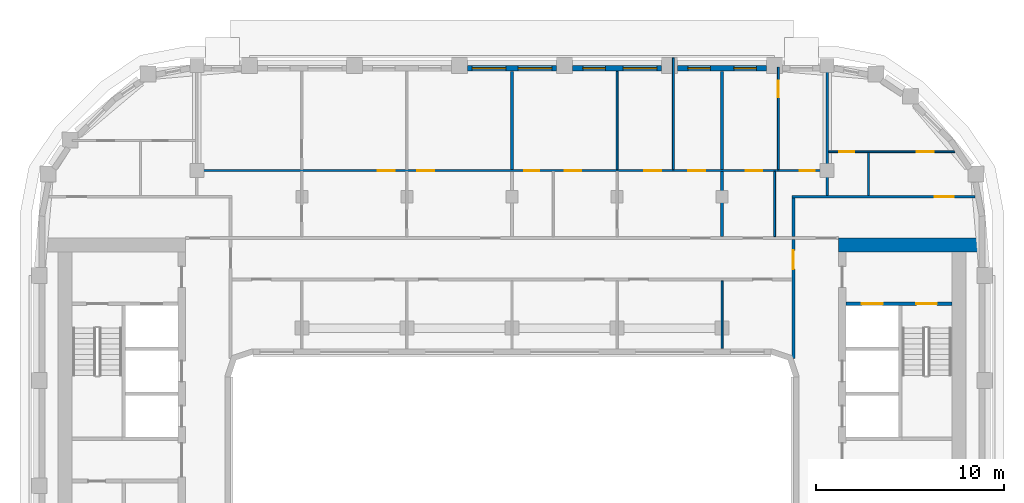
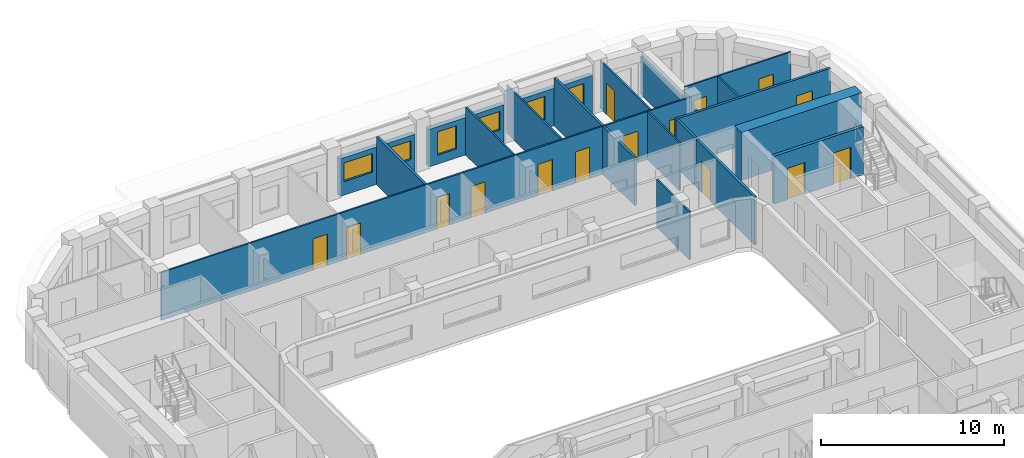
# One storey, part 8 of 21: 20 walls, 15 doors, 6 windows, 21 openings.
"""IFC4 building model written with IfcOpenShell, lengths in metres."""

import ifcopenshell
import ifcopenshell.guid

model = None  # the IFC model being written
_history = None  # IfcOwnerHistory: only IFC2X3 demands one
_inside = {}  # id of a spatial element -> (the spatial element, [elements in it])
_under = {}  # id of a project, library or spatial element -> (it, [spatial elements below it])
_declared = {}  # id of a project -> (the project, [libraries it declares])
_typed = {}  # id of a type object -> (the type object, [elements of that type])
_made_of = {}  # id of a material, layer set ... -> (it, [elements and type objects made of it])


def new_model(schema):
    """Start an empty IFC model of exactly this schema.

    Asked for "IFC4X3", IfcOpenShell would pick the latest addendum, in which some entities
    have other attributes; the version numbers below select the first issue.
    IFC2X3 requires an IfcOwnerHistory on every rooted entity: one is made here for all.
    """
    global model, _history
    if schema == "IFC4X3":
        model = ifcopenshell.file(schema_version=(4, 3, 0, 0))
    else:
        model = ifcopenshell.file(schema=schema)
    _inside.clear()
    _under.clear()
    _declared.clear()
    _typed.clear()
    _made_of.clear()
    _history = None
    if model.schema == "IFC2X3":
        org = make("IfcOrganization", Name="unknown")
        user = make(
            "IfcPersonAndOrganization",
            ThePerson=make("IfcPerson", FamilyName="unknown"),
            TheOrganization=org,
        )
        app = make(
            "IfcApplication",
            ApplicationDeveloper=org,
            Version="unknown",
            ApplicationFullName="unknown",
            ApplicationIdentifier="unknown",
        )
        _history = make(
            "IfcOwnerHistory",
            OwningUser=user,
            OwningApplication=app,
            ChangeAction="ADDED",
            CreationDate=0,
        )
    return model


def make(cls, **values):
    """One entity of the class cls with the attributes given. An attribute that is None is left unset."""
    return model.create_entity(
        cls, **{name: value for name, value in values.items() if value is not None}
    )


def rooted(cls, **values):
    """An entity with a GlobalId (a new one), such as an element, a storey or a relation."""
    return make(cls, GlobalId=ifcopenshell.guid.new(), OwnerHistory=_history, **values)


def si_unit(unit_type, name, prefix=None):
    """IfcSIUnit, for example si_unit("LENGTHUNIT", "METRE", prefix="MILLI")."""
    return make("IfcSIUnit", UnitType=unit_type, Prefix=prefix, Name=name)


def assignment(units):
    """IfcUnitAssignment: the units of a project."""
    return None if units is None else make("IfcUnitAssignment", Units=units)


def point(xyz):
    """IfcCartesianPoint."""
    return None if xyz is None else make("IfcCartesianPoint", Coordinates=xyz)


def direction(xyz):
    """IfcDirection."""
    return None if xyz is None else make("IfcDirection", DirectionRatios=xyz)


def frame(location, z_axis=None, x_axis=None):
    """IfcAxis2Placement3D, a coordinate frame: its origin and axes. An axis left out is left unset."""
    return make(
        "IfcAxis2Placement3D",
        Location=point(location),
        Axis=direction(z_axis),
        RefDirection=direction(x_axis),
    )


def frame_2d(location, x_axis=None):
    """IfcAxis2Placement2D, a coordinate frame in the plane: its origin and x axis."""
    return make(
        "IfcAxis2Placement2D", Location=point(location), RefDirection=direction(x_axis)
    )


def origin():
    """The frame at (0, 0, 0) with its axes left unset."""
    return frame((0.0, 0.0, 0.0))


def place(relative_to, where):
    """IfcLocalPlacement: puts the frame where relative to a parent placement (None: the world)."""
    return make(
        "IfcLocalPlacement", PlacementRelTo=relative_to, RelativePlacement=where
    )


def context(
    kind, dimensions, precision=None, world=None, true_north=None, identifier=None
):
    """IfcGeometricRepresentationContext, for example the 3D "Model" context."""
    return make(
        "IfcGeometricRepresentationContext",
        ContextIdentifier=identifier,
        ContextType=kind,
        CoordinateSpaceDimension=dimensions,
        Precision=precision,
        WorldCoordinateSystem=world,
        TrueNorth=true_north,
    )


def subcontext(parent, identifier, kind, view, scale=None):
    """IfcGeometricRepresentationSubContext, for example "Body" below "Model"."""
    return make(
        "IfcGeometricRepresentationSubContext",
        ContextIdentifier=identifier,
        ContextType=kind,
        ParentContext=parent,
        TargetScale=scale,
        TargetView=view,
    )


def project(units=None, contexts=None):
    """IfcProject with its units and contexts."""
    return rooted(
        "IfcProject",
        Name="project",
        RepresentationContexts=contexts,
        UnitsInContext=assignment(units),
    )


def spatial(cls, under=None, at=None, **own):
    """A site, building, storey or space (cls), placed at a placement, below another one or the project."""
    s = rooted(cls, ObjectPlacement=at, **own)
    if under is not None:
        _under.setdefault(under.id(), (under, []))[1].append(s)
    return s


def profile(cls, at=None, kind="AREA", **sizes):
    """A parametric profile (cls). Its sizes go by their IFC names, for example OverallWidth=200.0."""
    return make(cls, ProfileType=kind, Position=at, **sizes)


def rectangle(**sizes):
    """IfcRectangleProfileDef."""
    return profile("IfcRectangleProfileDef", **sizes)


def extrude(swept, where, along, depth):
    """IfcExtrudedAreaSolid: the profile swept, set in the frame where, extruded along a direction by depth."""
    return make(
        "IfcExtrudedAreaSolid",
        SweptArea=swept,
        Position=where,
        ExtrudedDirection=direction(along),
        Depth=depth,
    )


def shape(context_of_items, identifier, shape_type, items):
    """IfcShapeRepresentation: the items that make up one representation, for example the "Body"."""
    return make(
        "IfcShapeRepresentation",
        ContextOfItems=context_of_items,
        RepresentationIdentifier=identifier,
        RepresentationType=shape_type,
        Items=items,
    )


def material(Name=None, Category=None):
    """IfcMaterial."""
    return make("IfcMaterial", Name=Name, Category=Category)


def layer(
    of_material, thickness, ventilated=None, Name=None, Category=None, Priority=None
):
    """IfcMaterialLayer: one layer of a wall or slab, of a material (None: an air gap)."""
    return make(
        "IfcMaterialLayer",
        Material=of_material,
        LayerThickness=thickness,
        IsVentilated=ventilated,
        Name=Name,
        Category=Category,
        Priority=Priority,
    )


def layer_set(layers, Name=None):
    """IfcMaterialLayerSet."""
    return make("IfcMaterialLayerSet", MaterialLayers=layers, LayerSetName=Name)


def made_of(thing, what):
    """Note that an element or type object is made of a material, layer set ...; save() writes the relation."""
    if what is not None:
        _made_of.setdefault(what.id(), (what, []))[1].append(thing)
    return thing


def type_object(cls, material=None, **own):
    """A type object (cls), such as IfcWallType, which elements share."""
    return made_of(rooted(cls, **own), material)


def element(
    cls,
    number,
    at=None,
    inside=None,
    cuts=None,
    type_object=None,
    material=None,
    context=None,
    identifier="Body",
    shape_type=None,
    held_by="IfcProductDefinitionShape",
    body=None,
    shapes=None,
    **own,
):
    """One element of the class cls, such as IfcWall. Its Tag is "e" and its number.

    at: its placement. inside: the storey or other place that contains it. cuts: it is an
    opening in that element (IfcRelVoidsElement). A single representation is given by context,
    identifier, shape_type and body (its items); several are given by shapes. held_by: the class
    of the entity that holds the representations. save() writes the other relations.
    """
    e = rooted(cls, Tag="e%d" % number, ObjectPlacement=at, **own)
    if body is not None:
        shapes = [shape(context, identifier, shape_type, body)]
    if shapes is not None:
        e.Representation = make(held_by, Representations=shapes)
    if inside is not None:
        _inside.setdefault(inside.id(), (inside, []))[1].append(e)
    if cuts is not None:
        rooted(
            "IfcRelVoidsElement", RelatingBuildingElement=cuts, RelatedOpeningElement=e
        )
    if type_object is not None:
        _typed.setdefault(type_object.id(), (type_object, []))[1].append(e)
    return made_of(e, material)


def fill(opening, filler):
    """IfcRelFillsElement: the door or window that sits in an opening."""
    return rooted(
        "IfcRelFillsElement",
        RelatingOpeningElement=opening,
        RelatedBuildingElement=filler,
    )


def aggregate(whole, parts):
    """IfcRelAggregates: a whole, such as a stair, and the parts it consists of."""
    return rooted("IfcRelAggregates", RelatingObject=whole, RelatedObjects=parts)


def save(model, path):
    """Write the relations noted so far, then the file.

    IfcRelAggregates (storeys below a building ...), IfcRelContainedInSpatialStructure (elements
    in a storey), IfcRelDefinesByType, IfcRelAssociatesMaterial and IfcRelDeclares: one each for
    every whole, place, type object, material and project.
    """
    for whole, parts in _under.values():
        aggregate(whole, parts)
    for where, things in _inside.values():
        rooted(
            "IfcRelContainedInSpatialStructure",
            RelatedElements=things,
            RelatingStructure=where,
        )
    for kind, things in _typed.values():
        rooted("IfcRelDefinesByType", RelatedObjects=things, RelatingType=kind)
    for what, things in _made_of.values():
        rooted("IfcRelAssociatesMaterial", RelatedObjects=things, RelatingMaterial=what)
    for by, libraries in _declared.values():
        rooted("IfcRelDeclares", RelatingContext=by, RelatedDefinitions=libraries)
    model.write(path)


model = new_model("IFC4")

# Units and contexts
model_context = context("Model", 3, precision=1e-05, world=origin(), true_north=direction((0.0, 1.0)))
body_context = subcontext(model_context, "Body", "Model", "MODEL_VIEW")
ifc_project = project(units=[si_unit("LENGTHUNIT", "METRE"), si_unit("AREAUNIT", "SQUARE_METRE"), si_unit("VOLUMEUNIT", "CUBIC_METRE"), si_unit("PLANEANGLEUNIT", "RADIAN"), si_unit("MASSUNIT", "GRAM", prefix="KILO")], contexts=[model_context])

# Site, building, storey
site_placement = place(None, origin())
site = spatial("IfcSite", under=ifc_project, at=site_placement, CompositionType="ELEMENT")
building_placement = place(site_placement, origin())
building = spatial("IfcBuilding", under=site, at=building_placement, Name="Kiln Ring Residences", CompositionType="ELEMENT")
storey_placement = place(building_placement, frame((0.0, 0.0, 220.39990234375)))
storey = spatial("IfcBuildingStorey", under=building, at=storey_placement, Name="L57", CompositionType="ELEMENT", Elevation=220.39990234375)

# Wall, openings, doors
ifc_material_1 = material(Name="Concrete C40/50", Category="concrete")
ifc_layer_1 = layer(ifc_material_1, 0.199951171875)
ifc_layer_set_1 = layer_set([ifc_layer_1], Name="CORE-WALL-RC200")
wall_type_1 = type_object("IfcWallType", Name="CORE-WALL-RC200", PredefinedType="SHEAR", material=ifc_layer_set_1)
wall_1_placement = place(storey_placement, frame((17.800048828125, 9.699951171875, 0.0), z_axis=(0.0, 0.0, 1.0), x_axis=(1.0, 0.0, 0.0)))
wall_1 = element("IfcWall", 1, at=wall_1_placement, inside=storey, type_object=wall_type_1, Name="Core wall east L57 9", PredefinedType="SHEAR", context=body_context, shape_type="SweptSolid", body=[
    extrude(rectangle(XDim=5.64990234375, YDim=0.199951171875, at=frame_2d((2.824951171875, 0.0))), origin(), (0.0, 0.0, 1.0), 3.2001953125),
])
opening_1_placement = place(wall_1_placement, frame((0.85009765625, 0.0, 0.0)))
opening_1 = element("IfcOpeningElement", 2, at=opening_1_placement, cuts=wall_1, Name="Opening L57-CE06", PredefinedType="OPENING", context=body_context, shape_type="SweptSolid", body=[
    extrude(rectangle(XDim=1.10009765625, YDim=2.10009765625, at=frame_2d((0.550048828125, 1.050048828125))), frame((0.0, 0.10986328125, 0.0), z_axis=(0.0, -1.0, 0.0), x_axis=(1.0, 0.0, 0.0)), (0.0, 0.0, 1.0), 0.219970703125),
])
opening_2_placement = place(wall_1_placement, frame((3.75, 0.0, 0.0)))
opening_2 = element("IfcOpeningElement", 3, at=opening_2_placement, cuts=wall_1, Name="Opening L57-CE09", PredefinedType="OPENING", context=body_context, shape_type="SweptSolid", body=[
    extrude(rectangle(XDim=1.10009765625, YDim=2.10009765625, at=frame_2d((0.550048828125, 1.050048828125))), frame((0.0, 0.10986328125, 0.0), z_axis=(0.0, -1.0, 0.0), x_axis=(1.0, 0.0, 0.0)), (0.0, 0.0, 1.0), 0.219970703125),
])
ifc_material_2 = material(Name="Steel door leaf", Category="steel")
door_type_1 = type_object("IfcDoorType", Name="CORE-DOOR-LD", OperationType="DOUBLE_DOOR_SLIDING", PredefinedType="DOOR", material=ifc_material_2)
door_1_placement = place(opening_1_placement, origin())
door_1 = element("IfcDoor", 4, at=door_1_placement, inside=storey, type_object=door_type_1, Name="LD E-FF L57-CE06", OperationType="DOUBLE_DOOR_SLIDING", OverallHeight=2.10009765625, OverallWidth=1.10009765625, PredefinedType="DOOR", context=body_context, shape_type="SweptSolid", body=[
    extrude(rectangle(XDim=1.10009765625, YDim=2.10009765625, at=frame_2d((0.550048828125, 1.050048828125))), frame((0.0, 0.02490234375, 0.0), z_axis=(0.0, -1.0, 0.0), x_axis=(1.0, 0.0, 0.0)), (0.0, 0.0, 1.0), 0.050048828125),
])
fill(opening_1, door_1)
ifc_material_3 = material(Name="Steel door leaf", Category="steel")
door_type_2 = type_object("IfcDoorType", Name="CORE-DOOR-STAIR", OperationType="SINGLE_SWING_LEFT", PredefinedType="DOOR", material=ifc_material_3)
door_2_placement = place(opening_2_placement, origin())
door_2 = element("IfcDoor", 5, at=door_2_placement, inside=storey, type_object=door_type_2, Name="Stair E-STN L57-CE09", OperationType="SINGLE_SWING_RIGHT", OverallHeight=2.10009765625, OverallWidth=1.10009765625, PredefinedType="DOOR", context=body_context, shape_type="SweptSolid", body=[
    extrude(rectangle(XDim=1.10009765625, YDim=2.10009765625, at=frame_2d((0.550048828125, 1.050048828125))), frame((0.0, 0.02490234375, 0.0), z_axis=(0.0, -1.0, 0.0), x_axis=(1.0, 0.0, 0.0)), (0.0, 0.0, 1.0), 0.050048828125),
])
fill(opening_2, door_2)

# Wall
ifc_material_4 = material(Name="Concrete C60/75", Category="concrete")
ifc_layer_2 = layer(ifc_material_4, 0.75)
ifc_layer_set_2 = layer_set([ifc_layer_2], Name="CORE-WALL-RC750")
wall_type_2 = type_object("IfcWallType", Name="CORE-WALL-RC750", PredefinedType="SHEAR", material=ifc_layer_set_2)
wall_2_placement = place(storey_placement, frame((17.39990234375, 12.824951171875, 0.0), z_axis=(0.0, 0.0, 1.0), x_axis=(1.0, 0.0, 0.0)))
element("IfcWall", 6, at=wall_2_placement, inside=storey, type_object=wall_type_2, Name="Core wall east L57 4", PredefinedType="SHEAR", context=body_context, shape_type="SweptSolid", body=[
    extrude(rectangle(XDim=7.60009765625, YDim=0.75, at=frame_2d((3.800048828125, 0.0))), origin(), (0.0, 0.0, 1.0), 3.2001953125),
])

# Wall, openings, windows
ifc_material_5 = material(Name="Brick masonry, dark clay brick", Category="masonry")
ifc_layer_3 = layer(ifc_material_5, 0.300048828125)
ifc_layer_set_3 = layer_set([ifc_layer_3], Name="EW-300 BRICK WALL")
wall_type_3 = type_object("IfcWallType", Name="EW-300 BRICK WALL", PredefinedType="SOLIDWALL", material=ifc_layer_set_3)
wall_3_placement = place(storey_placement, frame((13.574951171875, 22.25, 0.0), z_axis=(0.0, 0.0, 1.0), x_axis=(-1.0, 0.0, 0.0)))
wall_3 = element("IfcWall", 7, at=wall_3_placement, inside=storey, type_object=wall_type_3, Name="Facade wall L57 28", PredefinedType="SOLIDWALL", context=body_context, shape_type="SweptSolid", body=[
    extrude(rectangle(XDim=4.75, YDim=0.300048828125, at=frame_2d((2.375, 0.0))), origin(), (0.0, 0.0, 1.0), 2.5),
])
opening_3_placement = place(wall_3_placement, frame((0.550048828125, 0.0, 0.60009765625)))
opening_3 = element("IfcOpeningElement", 8, at=opening_3_placement, cuts=wall_3, Name="Opening W1", PredefinedType="OPENING", context=body_context, shape_type="SweptSolid", body=[
    extrude(rectangle(XDim=1.199951171875, YDim=1.550048828125, at=frame_2d((0.60009765625, 0.77490234375))), frame((0.0, 0.159912109375, 0.0), z_axis=(0.0, -1.0, 0.0), x_axis=(1.0, 0.0, 0.0)), (0.0, 0.0, 1.0), 0.320068359375),
])
opening_4_placement = place(wall_3_placement, frame((3.0, 0.0, 0.60009765625)))
opening_4 = element("IfcOpeningElement", 9, at=opening_4_placement, cuts=wall_3, Name="Opening W1", PredefinedType="OPENING", context=body_context, shape_type="SweptSolid", body=[
    extrude(rectangle(XDim=1.199951171875, YDim=1.550048828125, at=frame_2d((0.60009765625, 0.77490234375))), frame((0.0, 0.159912109375, 0.0), z_axis=(0.0, -1.0, 0.0), x_axis=(1.0, 0.0, 0.0)), (0.0, 0.0, 1.0), 0.320068359375),
])
ifc_material_6 = material(Name="Aluminium frame with double glazing", Category="aluminium")
window_type_1 = type_object("IfcWindowType", Name="WINDOW 1200 x 1550", PartitioningType="SINGLE_PANEL", PredefinedType="WINDOW", material=ifc_material_6)
window_1_placement = place(opening_3_placement, origin())
window_1 = element("IfcWindow", 10, at=window_1_placement, inside=storey, type_object=window_type_1, Name="Window L57 20", OverallHeight=1.550048828125, OverallWidth=1.199951171875, PartitioningType="SINGLE_PANEL", PredefinedType="WINDOW", context=body_context, shape_type="SweptSolid", body=[
    extrude(rectangle(XDim=1.199951171875, YDim=1.550048828125, at=frame_2d((0.60009765625, 0.77490234375))), frame((0.0, 0.030029296875, 0.0), z_axis=(0.0, -1.0, 0.0), x_axis=(1.0, 0.0, 0.0)), (0.0, 0.0, 1.0), 0.06005859375),
])
fill(opening_3, window_1)
window_2_placement = place(opening_4_placement, origin())
window_2 = element("IfcWindow", 11, at=window_2_placement, inside=storey, type_object=window_type_1, Name="Window L57 21", OverallHeight=1.550048828125, OverallWidth=1.199951171875, PartitioningType="SINGLE_PANEL", PredefinedType="WINDOW", context=body_context, shape_type="SweptSolid", body=[
    extrude(rectangle(XDim=1.199951171875, YDim=1.550048828125, at=frame_2d((0.60009765625, 0.77490234375))), frame((0.0, 0.030029296875, 0.0), z_axis=(0.0, -1.0, 0.0), x_axis=(1.0, 0.0, 0.0)), (0.0, 0.0, 1.0), 0.06005859375),
])
fill(opening_4, window_2)

wall_4_placement = place(storey_placement, frame((7.97509765625, 22.25, 0.0), z_axis=(0.0, 0.0, 1.0), x_axis=(-1.0, 0.0, 0.0)))
wall_4 = element("IfcWall", 12, at=wall_4_placement, inside=storey, type_object=wall_type_3, Name="Facade wall L57 29", PredefinedType="SOLIDWALL", context=body_context, shape_type="SweptSolid", body=[
    extrude(rectangle(XDim=4.75, YDim=0.300048828125, at=frame_2d((2.375, 0.0))), origin(), (0.0, 0.0, 1.0), 2.5),
])
opening_5_placement = place(wall_4_placement, frame((0.25, 0.0, 0.89990234375)))
opening_5 = element("IfcOpeningElement", 13, at=opening_5_placement, cuts=wall_4, Name="Opening W2", PredefinedType="OPENING", context=body_context, shape_type="SweptSolid", body=[
    extrude(rectangle(XDim=1.800048828125, YDim=1.25, at=frame_2d((0.89990234375, 0.625))), frame((0.0, 0.159912109375, 0.0), z_axis=(0.0, -1.0, 0.0), x_axis=(1.0, 0.0, 0.0)), (0.0, 0.0, 1.0), 0.320068359375),
])
opening_6_placement = place(wall_4_placement, frame((3.0, 0.0, 0.60009765625)))
opening_6 = element("IfcOpeningElement", 14, at=opening_6_placement, cuts=wall_4, Name="Opening W1", PredefinedType="OPENING", context=body_context, shape_type="SweptSolid", body=[
    extrude(rectangle(XDim=1.199951171875, YDim=1.550048828125, at=frame_2d((0.60009765625, 0.77490234375))), frame((0.0, 0.159912109375, 0.0), z_axis=(0.0, -1.0, 0.0), x_axis=(1.0, 0.0, 0.0)), (0.0, 0.0, 1.0), 0.320068359375),
])
window_3_placement = place(opening_6_placement, origin())
window_3 = element("IfcWindow", 15, at=window_3_placement, inside=storey, type_object=window_type_1, Name="Window L57 23", OverallHeight=1.550048828125, OverallWidth=1.199951171875, PartitioningType="SINGLE_PANEL", PredefinedType="WINDOW", context=body_context, shape_type="SweptSolid", body=[
    extrude(rectangle(XDim=1.199951171875, YDim=1.550048828125, at=frame_2d((0.60009765625, 0.77490234375))), frame((0.0, 0.030029296875, 0.0), z_axis=(0.0, -1.0, 0.0), x_axis=(1.0, 0.0, 0.0)), (0.0, 0.0, 1.0), 0.06005859375),
])
fill(opening_6, window_3)
ifc_material_7 = material(Name="Aluminium frame with double glazing", Category="aluminium")
window_type_2 = type_object("IfcWindowType", Name="WINDOW 1800 x 1250", PartitioningType="SINGLE_PANEL", PredefinedType="WINDOW", material=ifc_material_7)
window_4_placement = place(opening_5_placement, origin())
window_4 = element("IfcWindow", 16, at=window_4_placement, inside=storey, type_object=window_type_2, Name="Window L57 22", OverallHeight=1.25, OverallWidth=1.800048828125, PartitioningType="SINGLE_PANEL", PredefinedType="WINDOW", context=body_context, shape_type="SweptSolid", body=[
    extrude(rectangle(XDim=1.800048828125, YDim=1.25, at=frame_2d((0.89990234375, 0.625))), frame((0.0, 0.030029296875, 0.0), z_axis=(0.0, -1.0, 0.0), x_axis=(1.0, 0.0, 0.0)), (0.0, 0.0, 1.0), 0.06005859375),
])
fill(opening_5, window_4)

wall_5_placement = place(storey_placement, frame((2.375, 22.25, 0.0), z_axis=(0.0, 0.0, 1.0), x_axis=(-1.0, 0.0, 0.0)))
wall_5 = element("IfcWall", 17, at=wall_5_placement, inside=storey, type_object=wall_type_3, Name="Facade wall L57 30", PredefinedType="SOLIDWALL", context=body_context, shape_type="SweptSolid", body=[
    extrude(rectangle(XDim=4.75, YDim=0.300048828125, at=frame_2d((2.375, 0.0))), origin(), (0.0, 0.0, 1.0), 2.5),
])
opening_7_placement = place(wall_5_placement, frame((0.25, 0.0, 0.89990234375)))
opening_7 = element("IfcOpeningElement", 18, at=opening_7_placement, cuts=wall_5, Name="Opening W2", PredefinedType="OPENING", context=body_context, shape_type="SweptSolid", body=[
    extrude(rectangle(XDim=1.800048828125, YDim=1.25, at=frame_2d((0.89990234375, 0.625))), frame((0.0, 0.159912109375, 0.0), z_axis=(0.0, -1.0, 0.0), x_axis=(1.0, 0.0, 0.0)), (0.0, 0.0, 1.0), 0.320068359375),
])
opening_8_placement = place(wall_5_placement, frame((2.699951171875, 0.0, 0.89990234375)))
opening_8 = element("IfcOpeningElement", 19, at=opening_8_placement, cuts=wall_5, Name="Opening W2", PredefinedType="OPENING", context=body_context, shape_type="SweptSolid", body=[
    extrude(rectangle(XDim=1.800048828125, YDim=1.25, at=frame_2d((0.89990234375, 0.625))), frame((0.0, 0.159912109375, 0.0), z_axis=(0.0, -1.0, 0.0), x_axis=(1.0, 0.0, 0.0)), (0.0, 0.0, 1.0), 0.320068359375),
])
window_5_placement = place(opening_7_placement, origin())
window_5 = element("IfcWindow", 20, at=window_5_placement, inside=storey, type_object=window_type_2, Name="Window L57 24", OverallHeight=1.25, OverallWidth=1.800048828125, PartitioningType="SINGLE_PANEL", PredefinedType="WINDOW", context=body_context, shape_type="SweptSolid", body=[
    extrude(rectangle(XDim=1.800048828125, YDim=1.25, at=frame_2d((0.89990234375, 0.625))), frame((0.0, 0.030029296875, 0.0), z_axis=(0.0, -1.0, 0.0), x_axis=(1.0, 0.0, 0.0)), (0.0, 0.0, 1.0), 0.06005859375),
])
fill(opening_7, window_5)
window_6_placement = place(opening_8_placement, origin())
window_6 = element("IfcWindow", 21, at=window_6_placement, inside=storey, type_object=window_type_2, Name="Window L57 25", OverallHeight=1.25, OverallWidth=1.800048828125, PartitioningType="SINGLE_PANEL", PredefinedType="WINDOW", context=body_context, shape_type="SweptSolid", body=[
    extrude(rectangle(XDim=1.800048828125, YDim=1.25, at=frame_2d((0.89990234375, 0.625))), frame((0.0, 0.030029296875, 0.0), z_axis=(0.0, -1.0, 0.0), x_axis=(1.0, 0.0, 0.0)), (0.0, 0.0, 1.0), 0.06005859375),
])
fill(opening_8, window_6)

# Wall, openings, doors
ifc_material_8 = material(Name="Gypsum board on steel studs", Category="steel")
ifc_layer_4 = layer(ifc_material_8, 0.10009765625)
ifc_layer_set_4 = layer_set([ifc_layer_4], Name="PARTITION-100")
wall_type_4 = type_object("IfcWallType", Name="PARTITION-100", PredefinedType="PARTITIONING", material=ifc_layer_set_4)
wall_6_placement = place(storey_placement, frame((-16.72509765625, 16.800048828125, 0.0), z_axis=(0.0, 0.0, 1.0), x_axis=(1.0, 0.0, 0.0)))
wall_6 = element("IfcWall", 22, at=wall_6_placement, inside=storey, type_object=wall_type_4, Name="Partition 011", PredefinedType="PARTITIONING", context=body_context, shape_type="SweptSolid", body=[
    extrude(rectangle(XDim=33.4501953125, YDim=0.10009765625, at=frame_2d((16.72509765625, 0.0))), origin(), (0.0, 0.0, 1.0), 3.2001953125),
])
opening_9_placement = place(wall_6_placement, frame((11.675048828125, 0.0, 0.0)))
opening_9 = element("IfcOpeningElement", 23, at=opening_9_placement, cuts=wall_6, Name="Opening L57-D018", PredefinedType="OPENING", context=body_context, shape_type="SweptSolid", body=[
    extrude(rectangle(XDim=0.89990234375, YDim=2.10009765625, at=frame_2d((0.449951171875, 1.050048828125))), frame((0.0, 0.06005859375, 0.0), z_axis=(0.0, -1.0, 0.0), x_axis=(1.0, 0.0, 0.0)), (0.0, 0.0, 1.0), 0.1201171875),
])
opening_10_placement = place(wall_6_placement, frame((9.574951171875, 0.0, 0.0)))
opening_10 = element("IfcOpeningElement", 24, at=opening_10_placement, cuts=wall_6, Name="Opening L57-D019", PredefinedType="OPENING", context=body_context, shape_type="SweptSolid", body=[
    extrude(rectangle(XDim=0.89990234375, YDim=2.10009765625, at=frame_2d((0.449951171875, 1.050048828125))), frame((0.0, 0.06005859375, 0.0), z_axis=(0.0, -1.0, 0.0), x_axis=(1.0, 0.0, 0.0)), (0.0, 0.0, 1.0), 0.1201171875),
])
opening_11_placement = place(wall_6_placement, frame((17.375, 0.0, 0.0)))
opening_11 = element("IfcOpeningElement", 25, at=opening_11_placement, cuts=wall_6, Name="Opening L57-D023", PredefinedType="OPENING", context=body_context, shape_type="SweptSolid", body=[
    extrude(rectangle(XDim=0.800048828125, YDim=2.10009765625, at=frame_2d((0.39990234375, 1.050048828125))), frame((0.0, 0.06005859375, 0.0), z_axis=(0.0, -1.0, 0.0), x_axis=(1.0, 0.0, 0.0)), (0.0, 0.0, 1.0), 0.1201171875),
])
opening_12_placement = place(wall_6_placement, frame((19.52490234375, 0.0, 0.0)))
opening_12 = element("IfcOpeningElement", 26, at=opening_12_placement, cuts=wall_6, Name="Opening L57-D024", PredefinedType="OPENING", context=body_context, shape_type="SweptSolid", body=[
    extrude(rectangle(XDim=0.89990234375, YDim=2.10009765625, at=frame_2d((0.449951171875, 1.050048828125))), frame((0.0, 0.06005859375, 0.0), z_axis=(0.0, -1.0, 0.0), x_axis=(1.0, 0.0, 0.0)), (0.0, 0.0, 1.0), 0.1201171875),
])
opening_13_placement = place(wall_6_placement, frame((23.77490234375, 0.0, 0.0)))
opening_13 = element("IfcOpeningElement", 27, at=opening_13_placement, cuts=wall_6, Name="Opening L57-D025", PredefinedType="OPENING", context=body_context, shape_type="SweptSolid", body=[
    extrude(rectangle(XDim=0.89990234375, YDim=2.10009765625, at=frame_2d((0.449951171875, 1.050048828125))), frame((0.0, 0.06005859375, 0.0), z_axis=(0.0, -1.0, 0.0), x_axis=(1.0, 0.0, 0.0)), (0.0, 0.0, 1.0), 0.1201171875),
])
opening_14_placement = place(wall_6_placement, frame((26.125, 0.0, 0.0)))
opening_14 = element("IfcOpeningElement", 28, at=opening_14_placement, cuts=wall_6, Name="Opening L57-D026", PredefinedType="OPENING", context=body_context, shape_type="SweptSolid", body=[
    extrude(rectangle(XDim=0.89990234375, YDim=2.10009765625, at=frame_2d((0.449951171875, 1.050048828125))), frame((0.0, 0.06005859375, 0.0), z_axis=(0.0, -1.0, 0.0), x_axis=(1.0, 0.0, 0.0)), (0.0, 0.0, 1.0), 0.1201171875),
])
opening_15_placement = place(wall_6_placement, frame((32.074951171875, 0.0, 0.0)))
opening_15 = element("IfcOpeningElement", 29, at=opening_15_placement, cuts=wall_6, Name="Opening L57-D028", PredefinedType="OPENING", context=body_context, shape_type="SweptSolid", body=[
    extrude(rectangle(XDim=0.800048828125, YDim=2.10009765625, at=frame_2d((0.39990234375, 1.050048828125))), frame((0.0, 0.06005859375, 0.0), z_axis=(0.0, -1.0, 0.0), x_axis=(1.0, 0.0, 0.0)), (0.0, 0.0, 1.0), 0.1201171875),
])
opening_16_placement = place(wall_6_placement, frame((29.175048828125, 0.0, 0.0)))
opening_16 = element("IfcOpeningElement", 30, at=opening_16_placement, cuts=wall_6, Name="Opening L57-D029", PredefinedType="OPENING", context=body_context, shape_type="SweptSolid", body=[
    extrude(rectangle(XDim=0.89990234375, YDim=2.10009765625, at=frame_2d((0.449951171875, 1.050048828125))), frame((0.0, 0.06005859375, 0.0), z_axis=(0.0, -1.0, 0.0), x_axis=(1.0, 0.0, 0.0)), (0.0, 0.0, 1.0), 0.1201171875),
])
ifc_material_9 = material(Name="Timber door leaf", Category="wood")
door_type_3 = type_object("IfcDoorType", Name="FLAT-DOOR-800-PL", OperationType="SINGLE_SWING_LEFT", PredefinedType="DOOR", material=ifc_material_9)
door_3_placement = place(opening_11_placement, origin())
door_3 = element("IfcDoor", 31, at=door_3_placement, inside=storey, type_object=door_type_3, Name="Door L57-D023", OperationType="SINGLE_SWING_LEFT", OverallHeight=2.10009765625, OverallWidth=0.800048828125, PredefinedType="DOOR", context=body_context, shape_type="SweptSolid", body=[
    extrude(rectangle(XDim=0.800048828125, YDim=2.10009765625, at=frame_2d((0.39990234375, 1.050048828125))), frame((0.0, 0.02490234375, 0.0), z_axis=(0.0, -1.0, 0.0), x_axis=(1.0, 0.0, 0.0)), (0.0, 0.0, 1.0), 0.050048828125),
])
fill(opening_11, door_3)
door_4_placement = place(opening_15_placement, origin())
door_4 = element("IfcDoor", 32, at=door_4_placement, inside=storey, type_object=door_type_3, Name="Door L57-D028", OperationType="SINGLE_SWING_RIGHT", OverallHeight=2.10009765625, OverallWidth=0.800048828125, PredefinedType="DOOR", context=body_context, shape_type="SweptSolid", body=[
    extrude(rectangle(XDim=0.800048828125, YDim=2.10009765625, at=frame_2d((0.39990234375, 1.050048828125))), frame((0.0, 0.02490234375, 0.0), z_axis=(0.0, -1.0, 0.0), x_axis=(1.0, 0.0, 0.0)), (0.0, 0.0, 1.0), 0.050048828125),
])
fill(opening_15, door_4)
ifc_material_10 = material(Name="Timber door leaf", Category="wood")
door_type_4 = type_object("IfcDoorType", Name="FLAT-DOOR-900-PL", OperationType="SINGLE_SWING_LEFT", PredefinedType="DOOR", material=ifc_material_10)
door_5_placement = place(opening_9_placement, origin())
door_5 = element("IfcDoor", 33, at=door_5_placement, inside=storey, type_object=door_type_4, Name="Door L57-D018", OperationType="SINGLE_SWING_RIGHT", OverallHeight=2.10009765625, OverallWidth=0.89990234375, PredefinedType="DOOR", context=body_context, shape_type="SweptSolid", body=[
    extrude(rectangle(XDim=0.89990234375, YDim=2.10009765625, at=frame_2d((0.449951171875, 1.050048828125))), frame((0.0, 0.02490234375, 0.0), z_axis=(0.0, -1.0, 0.0), x_axis=(1.0, 0.0, 0.0)), (0.0, 0.0, 1.0), 0.050048828125),
])
fill(opening_9, door_5)
door_6_placement = place(opening_10_placement, origin())
door_6 = element("IfcDoor", 34, at=door_6_placement, inside=storey, type_object=door_type_4, Name="Door L57-D019", OperationType="SINGLE_SWING_LEFT", OverallHeight=2.10009765625, OverallWidth=0.89990234375, PredefinedType="DOOR", context=body_context, shape_type="SweptSolid", body=[
    extrude(rectangle(XDim=0.89990234375, YDim=2.10009765625, at=frame_2d((0.449951171875, 1.050048828125))), frame((0.0, 0.02490234375, 0.0), z_axis=(0.0, -1.0, 0.0), x_axis=(1.0, 0.0, 0.0)), (0.0, 0.0, 1.0), 0.050048828125),
])
fill(opening_10, door_6)
door_7_placement = place(opening_12_placement, origin())
door_7 = element("IfcDoor", 35, at=door_7_placement, inside=storey, type_object=door_type_4, Name="Door L57-D024", OperationType="SINGLE_SWING_RIGHT", OverallHeight=2.10009765625, OverallWidth=0.89990234375, PredefinedType="DOOR", context=body_context, shape_type="SweptSolid", body=[
    extrude(rectangle(XDim=0.89990234375, YDim=2.10009765625, at=frame_2d((0.449951171875, 1.050048828125))), frame((0.0, 0.02490234375, 0.0), z_axis=(0.0, -1.0, 0.0), x_axis=(1.0, 0.0, 0.0)), (0.0, 0.0, 1.0), 0.050048828125),
])
fill(opening_12, door_7)
door_8_placement = place(opening_13_placement, origin())
door_8 = element("IfcDoor", 36, at=door_8_placement, inside=storey, type_object=door_type_4, Name="Door L57-D025", OperationType="SINGLE_SWING_LEFT", OverallHeight=2.10009765625, OverallWidth=0.89990234375, PredefinedType="DOOR", context=body_context, shape_type="SweptSolid", body=[
    extrude(rectangle(XDim=0.89990234375, YDim=2.10009765625, at=frame_2d((0.449951171875, 1.050048828125))), frame((0.0, 0.02490234375, 0.0), z_axis=(0.0, -1.0, 0.0), x_axis=(1.0, 0.0, 0.0)), (0.0, 0.0, 1.0), 0.050048828125),
])
fill(opening_13, door_8)
door_9_placement = place(opening_14_placement, origin())
door_9 = element("IfcDoor", 37, at=door_9_placement, inside=storey, type_object=door_type_4, Name="Door L57-D026", OperationType="SINGLE_SWING_RIGHT", OverallHeight=2.10009765625, OverallWidth=0.89990234375, PredefinedType="DOOR", context=body_context, shape_type="SweptSolid", body=[
    extrude(rectangle(XDim=0.89990234375, YDim=2.10009765625, at=frame_2d((0.449951171875, 1.050048828125))), frame((0.0, 0.02490234375, 0.0), z_axis=(0.0, -1.0, 0.0), x_axis=(1.0, 0.0, 0.0)), (0.0, 0.0, 1.0), 0.050048828125),
])
fill(opening_14, door_9)
door_10_placement = place(opening_16_placement, origin())
door_10 = element("IfcDoor", 38, at=door_10_placement, inside=storey, type_object=door_type_4, Name="Door L57-D029", OperationType="SINGLE_SWING_LEFT", OverallHeight=2.10009765625, OverallWidth=0.89990234375, PredefinedType="DOOR", context=body_context, shape_type="SweptSolid", body=[
    extrude(rectangle(XDim=0.89990234375, YDim=2.10009765625, at=frame_2d((0.449951171875, 1.050048828125))), frame((0.0, 0.02490234375, 0.0), z_axis=(0.0, -1.0, 0.0), x_axis=(1.0, 0.0, 0.0)), (0.0, 0.0, 1.0), 0.050048828125),
])
fill(opening_16, door_10)

wall_7_placement = place(storey_placement, frame((16.875, 17.800048828125, 0.0), z_axis=(0.0, 0.0, 1.0), x_axis=(1.0, 0.0, 0.0)))
wall_7 = element("IfcWall", 39, at=wall_7_placement, inside=storey, type_object=wall_type_4, Name="Partition 012", PredefinedType="PARTITIONING", context=body_context, shape_type="SweptSolid", body=[
    extrude(rectangle(XDim=6.718994140625, YDim=0.10009765625, at=frame_2d((3.359375, 0.0))), origin(), (0.0, 0.0, 1.0), 3.2001953125),
])
opening_17_placement = place(wall_7_placement, frame((0.574951171875, 0.0, 0.0)))
opening_17 = element("IfcOpeningElement", 40, at=opening_17_placement, cuts=wall_7, Name="Opening L57-D032", PredefinedType="OPENING", context=body_context, shape_type="SweptSolid", body=[
    extrude(rectangle(XDim=0.800048828125, YDim=2.10009765625, at=frame_2d((0.39990234375, 1.050048828125))), frame((0.0, 0.06005859375, 0.0), z_axis=(0.0, -1.0, 0.0), x_axis=(1.0, 0.0, 0.0)), (0.0, 0.0, 1.0), 0.1201171875),
])
opening_18_placement = place(wall_7_placement, frame((4.693115234375, 0.0, 0.0)))
opening_18 = element("IfcOpeningElement", 41, at=opening_18_placement, cuts=wall_7, Name="Opening L57-D033", PredefinedType="OPENING", context=body_context, shape_type="SweptSolid", body=[
    extrude(rectangle(XDim=0.89990234375, YDim=2.10009765625, at=frame_2d((0.449951171875, 1.050048828125))), frame((0.0, 0.06005859375, 0.0), z_axis=(0.0, -1.0, 0.0), x_axis=(1.0, 0.0, 0.0)), (0.0, 0.0, 1.0), 0.1201171875),
])
door_11_placement = place(opening_17_placement, origin())
door_11 = element("IfcDoor", 42, at=door_11_placement, inside=storey, type_object=door_type_3, Name="Door L57-D032", OperationType="SINGLE_SWING_RIGHT", OverallHeight=2.10009765625, OverallWidth=0.800048828125, PredefinedType="DOOR", context=body_context, shape_type="SweptSolid", body=[
    extrude(rectangle(XDim=0.800048828125, YDim=2.10009765625, at=frame_2d((0.39990234375, 1.050048828125))), frame((0.0, 0.02490234375, 0.0), z_axis=(0.0, -1.0, 0.0), x_axis=(1.0, 0.0, 0.0)), (0.0, 0.0, 1.0), 0.050048828125),
])
fill(opening_17, door_11)
door_12_placement = place(opening_18_placement, origin())
door_12 = element("IfcDoor", 43, at=door_12_placement, inside=storey, type_object=door_type_4, Name="Door L57-D033", OperationType="SINGLE_SWING_LEFT", OverallHeight=2.10009765625, OverallWidth=0.89990234375, PredefinedType="DOOR", context=body_context, shape_type="SweptSolid", body=[
    extrude(rectangle(XDim=0.89990234375, YDim=2.10009765625, at=frame_2d((0.449951171875, 1.050048828125))), frame((0.0, 0.02490234375, 0.0), z_axis=(0.0, -1.0, 0.0), x_axis=(1.0, 0.0, 0.0)), (0.0, 0.0, 1.0), 0.050048828125),
])
fill(opening_18, door_12)

# Walls
wall_8_placement = place(storey_placement, frame((5.60009765625, 16.85009765625, 0.0), z_axis=(0.0, 0.0, 1.0), x_axis=(0.0, 1.0, 0.0)))
element("IfcWall", 44, at=wall_8_placement, inside=storey, type_object=wall_type_4, Name="Partition 050", PredefinedType="PARTITIONING", context=body_context, shape_type="SweptSolid", body=[
    extrude(rectangle(XDim=5.22998046875, YDim=0.10009765625, at=frame_2d((2.614990234375, 0.0))), origin(), (0.0, 0.0, 1.0), 3.2001953125),
])
wall_9_placement = place(storey_placement, frame((8.60009765625, 16.85009765625, 0.0), z_axis=(0.0, 0.0, 1.0), x_axis=(0.0, 1.0, 0.0)))
element("IfcWall", 45, at=wall_9_placement, inside=storey, type_object=wall_type_4, Name="Partition 052", PredefinedType="PARTITIONING", context=body_context, shape_type="SweptSolid", body=[
    extrude(rectangle(XDim=5.954833984375, YDim=0.10009765625, at=frame_2d((2.9775390625, 0.0))), origin(), (0.0, 0.0, 1.0), 3.2001953125),
])
wall_10_placement = place(storey_placement, frame((11.199951171875, 7.320068359375, 0.0), z_axis=(0.0, 0.0, 1.0), x_axis=(0.0, 1.0, 0.0)))
element("IfcWall", 46, at=wall_10_placement, inside=storey, type_object=wall_type_4, Name="Partition 054", PredefinedType="PARTITIONING", context=body_context, shape_type="SweptSolid", body=[
    extrude(rectangle(XDim=3.60498046875, YDim=0.10009765625, at=frame_2d((1.802490234375, 0.0))), origin(), (0.0, 0.0, 1.0), 3.2001953125),
])
wall_11_placement = place(storey_placement, frame((14.0, 13.27490234375, 0.0), z_axis=(0.0, 0.0, 1.0), x_axis=(0.0, 1.0, 0.0)))
element("IfcWall", 47, at=wall_11_placement, inside=storey, type_object=wall_type_4, Name="Partition 060", PredefinedType="PARTITIONING", context=body_context, shape_type="SweptSolid", body=[
    extrude(rectangle(XDim=3.47509765625, YDim=0.10009765625, at=frame_2d((1.737548828125, 0.0))), origin(), (0.0, 0.0, 1.0), 3.2001953125),
])

# Wall, opening, door
wall_12_placement = place(storey_placement, frame((14.199951171875, 16.85009765625, 0.0), z_axis=(0.0, 0.0, 1.0), x_axis=(0.0, 1.0, 0.0)))
wall_12 = element("IfcWall", 48, at=wall_12_placement, inside=storey, type_object=wall_type_4, Name="Partition 061", PredefinedType="PARTITIONING", context=body_context, shape_type="SweptSolid", body=[
    extrude(rectangle(XDim=5.4599609375, YDim=0.10009765625, at=frame_2d((2.72998046875, 0.0))), origin(), (0.0, 0.0, 1.0), 3.2001953125),
])
opening_19_placement = place(wall_12_placement, frame((3.85009765625, 0.0, 0.0)))
opening_19 = element("IfcOpeningElement", 49, at=opening_19_placement, cuts=wall_12, Name="Opening L57-D030", PredefinedType="OPENING", context=body_context, shape_type="SweptSolid", body=[
    extrude(rectangle(XDim=0.89990234375, YDim=2.10009765625, at=frame_2d((0.449951171875, 1.050048828125))), frame((0.0, 0.06005859375, 0.0), z_axis=(0.0, -1.0, 0.0), x_axis=(1.0, 0.0, 0.0)), (0.0, 0.0, 1.0), 0.1201171875),
])
door_13_placement = place(opening_19_placement, origin())
door_13 = element("IfcDoor", 50, at=door_13_placement, inside=storey, type_object=door_type_4, Name="Door L57-D030", OperationType="SINGLE_SWING_RIGHT", OverallHeight=2.10009765625, OverallWidth=0.89990234375, PredefinedType="DOOR", context=body_context, shape_type="SweptSolid", body=[
    extrude(rectangle(XDim=0.89990234375, YDim=2.10009765625, at=frame_2d((0.449951171875, 1.050048828125))), frame((0.0, 0.02490234375, 0.0), z_axis=(0.0, -1.0, 0.0), x_axis=(1.0, 0.0, 0.0)), (0.0, 0.0, 1.0), 0.050048828125),
])
fill(opening_19, door_13)

# Wall
wall_13_placement = place(storey_placement, frame((19.0, 15.47509765625, 0.0), z_axis=(0.0, 0.0, 1.0), x_axis=(0.0, 1.0, 0.0)))
element("IfcWall", 51, at=wall_13_placement, inside=storey, type_object=wall_type_4, Name="Partition 069", PredefinedType="PARTITIONING", context=body_context, shape_type="SweptSolid", body=[
    extrude(rectangle(XDim=2.27490234375, YDim=0.10009765625, at=frame_2d((1.137451171875, 0.0))), origin(), (0.0, 0.0, 1.0), 3.2001953125),
])

# Wall, opening, door
ifc_material_11 = material(Name="Brick masonry partition", Category="masonry")
ifc_layer_5 = layer(ifc_material_11, 0.14990234375)
ifc_layer_set_5 = layer_set([ifc_layer_5], Name="PARTITION-150-ei60")
wall_type_5 = type_object("IfcWallType", Name="PARTITION-150-ei60", PredefinedType="PARTITIONING", material=ifc_layer_set_5)
wall_14_placement = place(storey_placement, frame((14.925048828125, 15.39990234375, 0.0), z_axis=(0.0, 0.0, 1.0), x_axis=(1.0, 0.0, 0.0)))
wall_14 = element("IfcWall", 52, at=wall_14_placement, inside=storey, type_object=wall_type_5, Name="Partition 010", PredefinedType="PARTITIONING", context=body_context, shape_type="SweptSolid", body=[
    extrude(rectangle(XDim=9.7587890625, YDim=0.14990234375, at=frame_2d((4.87939453125, 0.0))), origin(), (0.0, 0.0, 1.0), 3.2001953125),
])
opening_20_placement = place(wall_14_placement, frame((7.615966796875, 0.0, 0.0)))
opening_20 = element("IfcOpeningElement", 53, at=opening_20_placement, cuts=wall_14, Name="Opening L57-D031", PredefinedType="OPENING", context=body_context, shape_type="SweptSolid", body=[
    extrude(rectangle(XDim=1.0, YDim=2.10009765625, at=frame_2d((0.5, 1.050048828125))), frame((0.0, 0.0849609375, 0.0), z_axis=(0.0, -1.0, 0.0), x_axis=(1.0, 0.0, 0.0)), (0.0, 0.0, 1.0), 0.169921875),
])
ifc_material_12 = material(Name="Steel faced fire door leaf", Category="steel")
door_type_5 = type_object("IfcDoorType", Name="FLAT-DOOR-1000-FR", OperationType="SINGLE_SWING_LEFT", PredefinedType="DOOR", material=ifc_material_12)
door_14_placement = place(opening_20_placement, origin())
door_14 = element("IfcDoor", 54, at=door_14_placement, inside=storey, type_object=door_type_5, Name="Door L57-D031", OperationType="SINGLE_SWING_LEFT", OverallHeight=2.10009765625, OverallWidth=1.0, PredefinedType="DOOR", context=body_context, shape_type="SweptSolid", body=[
    extrude(rectangle(XDim=1.0, YDim=2.10009765625, at=frame_2d((0.5, 1.050048828125))), frame((0.0, 0.02490234375, 0.0), z_axis=(0.0, -1.0, 0.0), x_axis=(1.0, 0.0, 0.0)), (0.0, 0.0, 1.0), 0.050048828125),
])
fill(opening_20, door_14)

# Walls
wall_15_placement = place(storey_placement, frame((0.0, 16.85009765625, 0.0), z_axis=(0.0, 0.0, 1.0), x_axis=(0.0, 1.0, 0.0)))
element("IfcWall", 55, at=wall_15_placement, inside=storey, type_object=wall_type_5, Name="Partition 042", PredefinedType="PARTITIONING", context=body_context, shape_type="SweptSolid", body=[
    extrude(rectangle(XDim=5.22998046875, YDim=0.14990234375, at=frame_2d((2.614990234375, 0.0))), origin(), (0.0, 0.0, 1.0), 3.2001953125),
])
wall_16_placement = place(storey_placement, frame((11.199951171875, 13.27490234375, 0.0), z_axis=(0.0, 0.0, 1.0), x_axis=(0.0, 1.0, 0.0)))
element("IfcWall", 56, at=wall_16_placement, inside=storey, type_object=wall_type_5, Name="Partition 057", PredefinedType="PARTITIONING", context=body_context, shape_type="SweptSolid", body=[
    extrude(rectangle(XDim=3.47509765625, YDim=0.14990234375, at=frame_2d((1.737548828125, 0.0))), origin(), (0.0, 0.0, 1.0), 3.2001953125),
])
wall_17_placement = place(storey_placement, frame((11.199951171875, 16.85009765625, 0.0), z_axis=(0.0, 0.0, 1.0), x_axis=(0.0, 1.0, 0.0)))
element("IfcWall", 57, at=wall_17_placement, inside=storey, type_object=wall_type_5, Name="Partition 058", PredefinedType="PARTITIONING", context=body_context, shape_type="SweptSolid", body=[
    extrude(rectangle(XDim=5.22998046875, YDim=0.14990234375, at=frame_2d((2.614990234375, 0.0))), origin(), (0.0, 0.0, 1.0), 3.2001953125),
])

# Wall, opening, door
wall_18_placement = place(storey_placement, frame((15.0, 6.768798828125, 0.0), z_axis=(0.0, 0.0, 1.0), x_axis=(0.0, 1.0, 0.0)))
wall_18 = element("IfcWall", 58, at=wall_18_placement, inside=storey, type_object=wall_type_5, Name="Partition 064", PredefinedType="PARTITIONING", context=body_context, shape_type="SweptSolid", body=[
    extrude(rectangle(XDim=6.356201171875, YDim=0.14990234375, at=frame_2d((3.17822265625, 0.0))), origin(), (0.0, 0.0, 1.0), 3.2001953125),
])
opening_21_placement = place(wall_18_placement, frame((4.78125, 0.0, 0.0)))
opening_21 = element("IfcOpeningElement", 59, at=opening_21_placement, cuts=wall_18, Name="Opening L57-D002", PredefinedType="OPENING", context=body_context, shape_type="SweptSolid", body=[
    extrude(rectangle(XDim=1.0, YDim=2.10009765625, at=frame_2d((0.5, 1.050048828125))), frame((0.0, 0.0849609375, 0.0), z_axis=(0.0, -1.0, 0.0), x_axis=(1.0, 0.0, 0.0)), (0.0, 0.0, 1.0), 0.169921875),
])
door_15_placement = place(opening_21_placement, origin())
door_15 = element("IfcDoor", 60, at=door_15_placement, inside=storey, type_object=door_type_5, Name="Door L57-D002", OperationType="SINGLE_SWING_LEFT", OverallHeight=2.10009765625, OverallWidth=1.0, PredefinedType="DOOR", context=body_context, shape_type="SweptSolid", body=[
    extrude(rectangle(XDim=1.0, YDim=2.10009765625, at=frame_2d((0.5, 1.050048828125))), frame((0.0, 0.02490234375, 0.0), z_axis=(0.0, -1.0, 0.0), x_axis=(1.0, 0.0, 0.0)), (0.0, 0.0, 1.0), 0.050048828125),
])
fill(opening_21, door_15)

# Walls
wall_19_placement = place(storey_placement, frame((15.0, 13.27490234375, 0.0), z_axis=(0.0, 0.0, 1.0), x_axis=(0.0, 1.0, 0.0)))
element("IfcWall", 61, at=wall_19_placement, inside=storey, type_object=wall_type_5, Name="Partition 065", PredefinedType="PARTITIONING", context=body_context, shape_type="SweptSolid", body=[
    extrude(rectangle(XDim=2.050048828125, YDim=0.14990234375, at=frame_2d((1.02490234375, 0.0))), origin(), (0.0, 0.0, 1.0), 3.2001953125),
])
wall_20_placement = place(storey_placement, frame((16.800048828125, 15.47509765625, 0.0), z_axis=(0.0, 0.0, 1.0), x_axis=(0.0, 1.0, 0.0)))
element("IfcWall", 62, at=wall_20_placement, inside=storey, type_object=wall_type_5, Name="Partition 067", PredefinedType="PARTITIONING", context=body_context, shape_type="SweptSolid", body=[
    extrude(rectangle(XDim=6.8349609375, YDim=0.14990234375, at=frame_2d((3.41748046875, 0.0))), origin(), (0.0, 0.0, 1.0), 2.550048828125),
])

save(model, "model.ifc")
